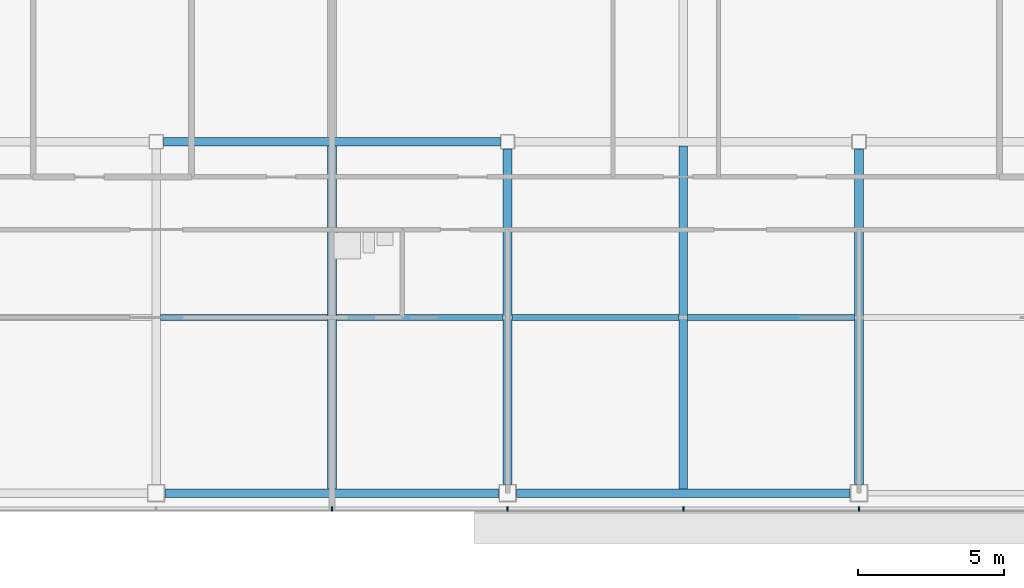
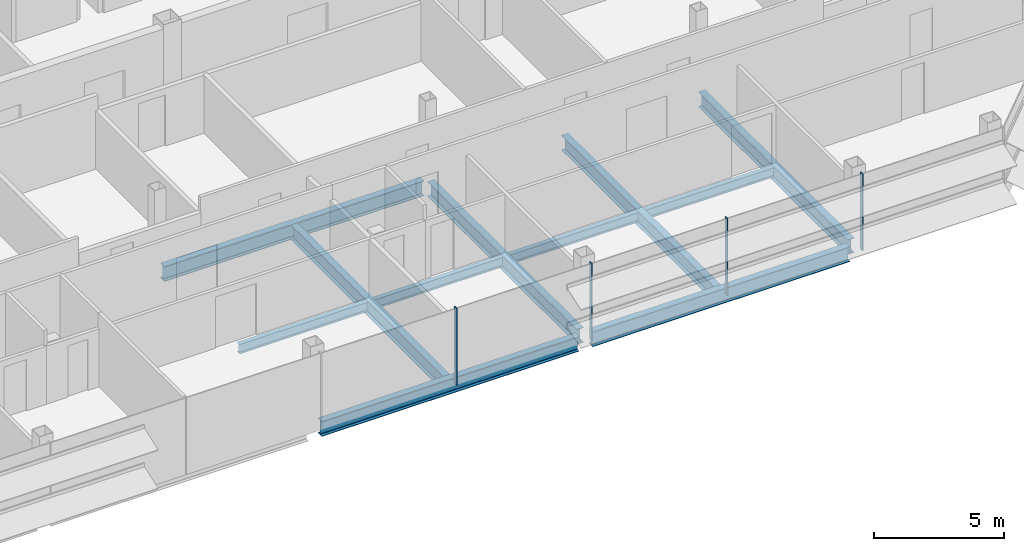
# One storey, part 9 of 27: 11 beams, 4 members, 1 element without a shape of its own.
"""IFC4 building model written with IfcOpenShell, lengths in metres."""

from ifc_helpers import new_model, si_unit, direction, frame, origin, origin_2d, place, context, subcontext, project, spatial, rectangle, i_section, extrude, material, material_profile, profile_set, type_object, element, aggregate, save


model = new_model("IFC4")

# Units and contexts
model_context = context("Model", 3, precision=1e-05, world=origin(), true_north=direction((0.0, 1.0)))
body_context = subcontext(model_context, "Body", "Model", "MODEL_VIEW")
ifc_project = project(units=[si_unit("LENGTHUNIT", "METRE"), si_unit("AREAUNIT", "SQUARE_METRE"), si_unit("VOLUMEUNIT", "CUBIC_METRE"), si_unit("PLANEANGLEUNIT", "RADIAN"), si_unit("MASSUNIT", "GRAM", prefix="KILO")], contexts=[model_context])

# Site, building, storey
site_placement = place(None, origin())
site = spatial("IfcSite", under=ifc_project, at=site_placement, CompositionType="ELEMENT")
building_placement = place(site_placement, origin())
building = spatial("IfcBuilding", under=site, at=building_placement, Name="Sorahane Residences", CompositionType="ELEMENT")
storey_placement = place(building_placement, frame((0.0, 0.0, 294.39990234375)))
storey = spatial("IfcBuildingStorey", under=building, at=storey_placement, Name="L69", CompositionType="ELEMENT", Elevation=294.39990234375)

# Curtain wall, members
ifc_material_1 = material(Name="Dark low-e glass and black anodised aluminium", Category="aluminium")
curtain_wall_type = type_object("IfcCurtainWallType", Name="Curtain wall CW-1 Typical unitised wall", PredefinedType="NOTDEFINED", material=ifc_material_1)
curtain_wall_placement = place(storey_placement, origin())
curtain_wall = element("IfcCurtainWall", 1, at=curtain_wall_placement, inside=storey, type_object=curtain_wall_type, Name="CW-1 curtain wall L69 S1", PredefinedType="NOTDEFINED")
ifc_material_2 = material(Name="Black anodised aluminium", Category="aluminium")
ifc_material_profile_1 = material_profile(ifc_material_2, rectangle(XDim=0.159912109375, YDim=0.050048828125, at=origin_2d()), Name="Curtain wall mullion CW-1 black anodised aluminium 50x160")
ifc_profile_set_1 = profile_set([ifc_material_profile_1], Name="Black anodised aluminium")
member_type = type_object("IfcMemberType", Name="Curtain wall mullion CW-1 black anodised aluminium 50x160", PredefinedType="MULLION", material=ifc_profile_set_1)
member_1_placement = place(storey_placement, frame((18.0, -0.5400390625, -0.179931640625), z_axis=(0.0, 0.0, 1.0), x_axis=(0.0, -1.0, 0.0)))
member_1 = element("IfcMember", 2, at=member_1_placement, type_object=member_type, Name="CW-1 mullion L69 S1.6", PredefinedType="MULLION", context=body_context, shape_type="SweptSolid", body=[
    extrude(rectangle(XDim=0.159912109375, YDim=0.050048828125, at=origin_2d()), origin(), (0.0, 0.0, 1.0), 3.60009765625),
])
member_2_placement = place(storey_placement, frame((24.0, -0.5400390625, -0.179931640625), z_axis=(0.0, 0.0, 1.0), x_axis=(0.0, -1.0, 0.0)))
member_2 = element("IfcMember", 3, at=member_2_placement, type_object=member_type, Name="CW-1 mullion L69 S1.7", PredefinedType="MULLION", context=body_context, shape_type="SweptSolid", body=[
    extrude(rectangle(XDim=0.159912109375, YDim=0.050048828125, at=origin_2d()), origin(), (0.0, 0.0, 1.0), 3.60009765625),
])
member_3_placement = place(storey_placement, frame((30.0, -0.5400390625, -0.179931640625), z_axis=(0.0, 0.0, 1.0), x_axis=(0.0, -1.0, 0.0)))
member_3 = element("IfcMember", 4, at=member_3_placement, type_object=member_type, Name="CW-1 mullion L69 S1.8", PredefinedType="MULLION", context=body_context, shape_type="SweptSolid", body=[
    extrude(rectangle(XDim=0.159912109375, YDim=0.050048828125, at=origin_2d()), origin(), (0.0, 0.0, 1.0), 3.60009765625),
])
member_4_placement = place(storey_placement, frame((36.0, -0.5400390625, -0.179931640625), z_axis=(0.0, 0.0, 1.0), x_axis=(0.0, -1.0, 0.0)))
member_4 = element("IfcMember", 5, at=member_4_placement, type_object=member_type, Name="CW-1 mullion L69 S1.9", PredefinedType="MULLION", context=body_context, shape_type="SweptSolid", body=[
    extrude(rectangle(XDim=0.159912109375, YDim=0.050048828125, at=origin_2d()), origin(), (0.0, 0.0, 1.0), 3.60009765625),
])
aggregate(curtain_wall, [member_1, member_2, member_3, member_4])

# Beams
ifc_material_3 = material(Name="Steel Q355B", Category="steel")
ifc_material_profile_2 = material_profile(ifc_material_3, i_section(OverallWidth=0.199951171875, OverallDepth=0.449951171875, WebThickness=0.009033203125, FlangeThickness=0.013916015625, FilletRadius=0.02001953125, at=origin_2d()), Name="HN 450x200x9x14")
ifc_profile_set_2 = profile_set([ifc_material_profile_2], Name="Steel Q355B")
beam_type_1 = type_object("IfcBeamType", Name="Steel floor beam HN 450x200x9x14 Q355B", PredefinedType="BEAM", material=ifc_profile_set_2)
for number, where, z_axis, x_axis, name in (
    (6, (12.14990234375, 6.0, -0.40478515625), (1.0, 0.0, 0.0), (0.0, 1.0, 0.0), "Beam L69 070"),
    (7, (18.14990234375, 6.0, -0.40478515625), (1.0, 0.0, 0.0), (0.0, 1.0, 0.0), "Beam L69 071"),
    (8, (24.14990234375, 6.0, -0.40478515625), (1.0, 0.0, 0.0), (0.0, 1.0, 0.0), "Beam L69 072"),
    (9, (30.14990234375, 6.0, -0.40478515625), (1.0, 0.0, 0.0), (0.0, 1.0, 0.0), "Beam L69 073"),
):
    element("IfcBeam", number, at=place(storey_placement, frame(where, z_axis=z_axis, x_axis=x_axis)), inside=storey, type_object=beam_type_1, Name=name, PredefinedType="BEAM", context=body_context, shape_type="SweptSolid", body=[
        extrude(i_section(OverallWidth=0.199951171875, OverallDepth=0.449951171875, WebThickness=0.009033203125, FlangeThickness=0.013916015625, FilletRadius=0.02001953125, at=origin_2d()), origin(), (0.0, 0.0, 1.0), 5.7001953125),
    ])
ifc_material_4 = material(Name="Steel Q355B", Category="steel")
ifc_material_profile_3 = material_profile(ifc_material_4, i_section(OverallWidth=0.300048828125, OverallDepth=0.699951171875, WebThickness=0.012939453125, FlangeThickness=0.02392578125, FilletRadius=0.028076171875, at=origin_2d()), Name="HN 700x300x13x24")
ifc_profile_set_3 = profile_set([ifc_material_profile_3], Name="Steel Q355B")
beam_type_2 = type_object("IfcBeamType", Name="Steel floor beam HN 700x300x13x24 Q355B", PredefinedType="BEAM", material=ifc_profile_set_3)
for number, where, z_axis, x_axis, name in (
    (10, (12.300048828125, 0.0, -0.52978515625), (1.0, 0.0, 0.0), (0.0, 1.0, 0.0), "Beam L69 002"),
    (11, (24.300048828125, 0.0, -0.52978515625), (1.0, 0.0, 0.0), (0.0, 1.0, 0.0), "Beam L69 003"),
):
    element("IfcBeam", number, at=place(storey_placement, frame(where, z_axis=z_axis, x_axis=x_axis)), inside=storey, type_object=beam_type_2, Name=name, PredefinedType="BEAM", context=body_context, shape_type="SweptSolid", body=[
        extrude(i_section(OverallWidth=0.300048828125, OverallDepth=0.699951171875, WebThickness=0.012939453125, FlangeThickness=0.02392578125, FilletRadius=0.028076171875, at=origin_2d()), origin(), (0.0, 0.0, 1.0), 11.39990234375),
    ])
beam_1_placement = place(storey_placement, frame((12.25, 12.0, -0.52978515625), z_axis=(1.0, 0.0, 0.0), x_axis=(0.0, 1.0, 0.0)))
element("IfcBeam", 12, at=beam_1_placement, inside=storey, type_object=beam_type_2, Name="Beam L69 008", PredefinedType="BEAM", context=body_context, shape_type="SweptSolid", body=[
    extrude(i_section(OverallWidth=0.300048828125, OverallDepth=0.699951171875, WebThickness=0.012939453125, FlangeThickness=0.02392578125, FilletRadius=0.028076171875, at=origin_2d()), origin(), (0.0, 0.0, 1.0), 11.5),
])
beam_2_placement = place(storey_placement, frame((18.0, 0.14990234375, -0.52978515625), z_axis=(0.0, 1.0, 0.0), x_axis=(-1.0, 0.0, 0.0)))
element("IfcBeam", 13, at=beam_2_placement, inside=storey, type_object=beam_type_2, Name="Beam L69 040", PredefinedType="BEAM", context=body_context, shape_type="SweptSolid", body=[
    extrude(i_section(OverallWidth=0.300048828125, OverallDepth=0.699951171875, WebThickness=0.012939453125, FlangeThickness=0.02392578125, FilletRadius=0.028076171875, at=origin_2d()), origin(), (0.0, 0.0, 1.0), 11.7001953125),
])
beam_3_placement = place(storey_placement, frame((24.0, 0.300048828125, -0.52978515625), z_axis=(0.0, 1.0, 0.0), x_axis=(-1.0, 0.0, 0.0)))
element("IfcBeam", 14, at=beam_3_placement, inside=storey, type_object=beam_type_2, Name="Beam L69 046", PredefinedType="BEAM", context=body_context, shape_type="SweptSolid", body=[
    extrude(i_section(OverallWidth=0.300048828125, OverallDepth=0.699951171875, WebThickness=0.012939453125, FlangeThickness=0.02392578125, FilletRadius=0.028076171875, at=origin_2d()), origin(), (0.0, 0.0, 1.0), 11.449951171875),
])
beam_4_placement = place(storey_placement, frame((30.0, 0.14990234375, -0.52978515625), z_axis=(0.0, 1.0, 0.0), x_axis=(-1.0, 0.0, 0.0)))
element("IfcBeam", 15, at=beam_4_placement, inside=storey, type_object=beam_type_2, Name="Beam L69 048", PredefinedType="BEAM", context=body_context, shape_type="SweptSolid", body=[
    extrude(i_section(OverallWidth=0.300048828125, OverallDepth=0.699951171875, WebThickness=0.012939453125, FlangeThickness=0.02392578125, FilletRadius=0.028076171875, at=origin_2d()), origin(), (0.0, 0.0, 1.0), 11.7001953125),
])
beam_5_placement = place(storey_placement, frame((36.0, 0.300048828125, -0.52978515625), z_axis=(0.0, 1.0, 0.0), x_axis=(-1.0, 0.0, 0.0)))
element("IfcBeam", 16, at=beam_5_placement, inside=storey, type_object=beam_type_2, Name="Beam L69 054", PredefinedType="BEAM", context=body_context, shape_type="SweptSolid", body=[
    extrude(i_section(OverallWidth=0.300048828125, OverallDepth=0.699951171875, WebThickness=0.012939453125, FlangeThickness=0.02392578125, FilletRadius=0.028076171875, at=origin_2d()), origin(), (0.0, 0.0, 1.0), 11.449951171875),
])

save(model, "model.ifc")
